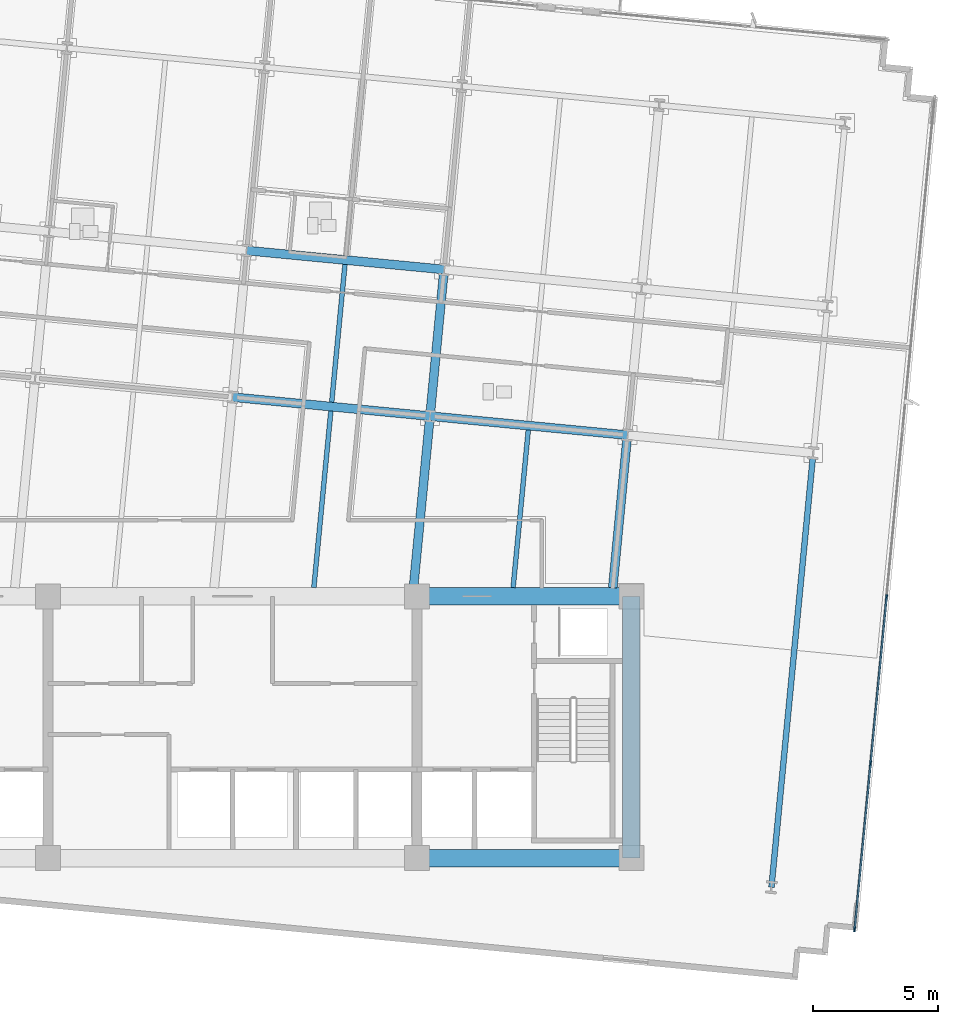
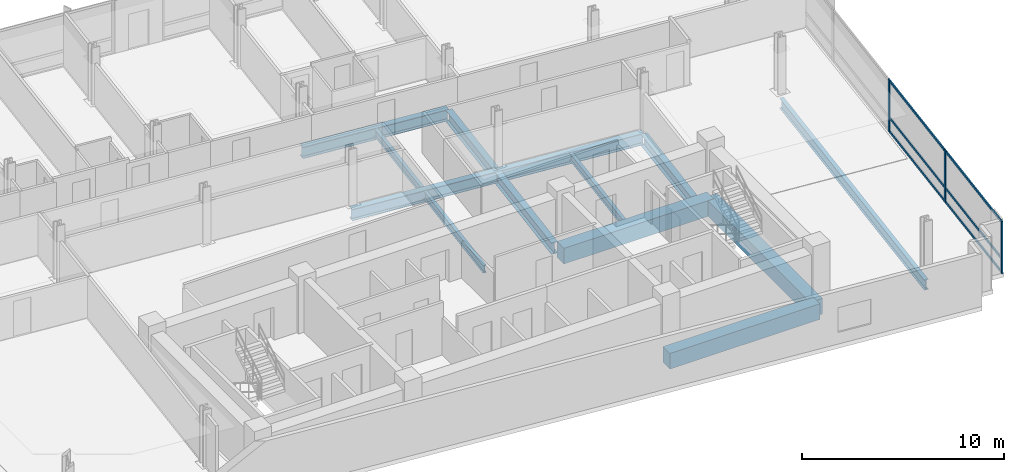
# One storey, part 5 of 17: 13 beams, 9 members, 1 element without a shape of its own.
"""IFC4 building model written with IfcOpenShell, lengths in metres."""

from ifc_helpers import new_model, si_unit, direction, frame, origin, origin_2d, place, context, subcontext, project, spatial, rectangle, i_section, extrude, material, material_profile, profile_set, type_object, element, aggregate, save


model = new_model("IFC4")

# Units and contexts
model_context = context("Model", 3, precision=1e-05, world=origin(), true_north=direction((0.0, 1.0)))
body_context = subcontext(model_context, "Body", "Model", "MODEL_VIEW")
ifc_project = project(units=[si_unit("LENGTHUNIT", "METRE"), si_unit("AREAUNIT", "SQUARE_METRE"), si_unit("VOLUMEUNIT", "CUBIC_METRE"), si_unit("PLANEANGLEUNIT", "RADIAN"), si_unit("MASSUNIT", "GRAM", prefix="KILO")], contexts=[model_context])

# Site, building, storey
site_placement = place(None, origin())
site = spatial("IfcSite", under=ifc_project, at=site_placement, CompositionType="ELEMENT")
building_placement = place(site_placement, origin())
building = spatial("IfcBuilding", under=site, at=building_placement, Name="Solmavex Isthmus Hotel", CompositionType="ELEMENT")
storey_placement = place(building_placement, frame((0.0, 0.0, 149.699951171875)))
storey = spatial("IfcBuildingStorey", under=building, at=storey_placement, Name="L40", CompositionType="ELEMENT", Elevation=149.699951171875)

# Beams
ifc_material_1 = material(Name="Steel ASTM A992 Grade 50", Category="steel")
ifc_material_profile_1 = material_profile(ifc_material_1, i_section(OverallWidth=0.354736328125, OverallDepth=0.695556640625, WebThickness=0.015380859375, FlangeThickness=0.02490234375, FilletRadius=0.017822265625, at=origin_2d()), Name="W27X146")
ifc_profile_set_1 = profile_set([ifc_material_profile_1], Name="Steel ASTM A992 Grade 50")
beam_type_1 = type_object("IfcBeamType", Name="BM-BG-W27X146", PredefinedType="BEAM", material=ifc_profile_set_1)
for number, where, z_axis, x_axis, name in (
    (1, (0.001220703125, 5.490234375, -0.607666015625), (0.995397440011, -0.095832856685, 0.0), (0.095832856685, 0.995397440011, 0.0), "Floor Girder L40-UG06"),
    (2, (7.920654296875, 4.727783203125, -0.607666015625), (0.995397440011, -0.095832856685, 0.0), (0.095832856685, 0.995397440011, 0.0), "Floor Girder L40-UG07"),
):
    element("IfcBeam", number, at=place(storey_placement, frame(where, z_axis=z_axis, x_axis=x_axis)), inside=storey, type_object=beam_type_1, Name=name, PredefinedType="BEAM", context=body_context, shape_type="SweptSolid", body=[
        extrude(i_section(OverallWidth=0.354736328125, OverallDepth=0.695556640625, WebThickness=0.015380859375, FlangeThickness=0.02490234375, FilletRadius=0.017822265625, at=origin_2d()), origin(), (0.0, 0.0, 1.0), 7.9560546875),
    ])
beam_1_placement = place(storey_placement, frame((0.567626953125, 11.37109375, -0.607666015625), z_axis=(0.995397158178, -0.095835783981, 0.0), x_axis=(0.095835783981, 0.995397158178, 0.0)))
element("IfcBeam", 3, at=beam_1_placement, inside=storey, type_object=beam_type_1, Name="Floor Girder L40-UG12", PredefinedType="BEAM", context=body_context, shape_type="SweptSolid", body=[
    extrude(i_section(OverallWidth=0.354736328125, OverallDepth=0.695556640625, WebThickness=0.015380859375, FlangeThickness=0.02490234375, FilletRadius=0.017822265625, at=origin_2d()), origin(), (0.0, 0.0, 1.0), 7.955810546875),
])
beam_2_placement = place(storey_placement, frame((7.25830078125, -2.14990234375, -0.607666015625), z_axis=(0.095847843924, 0.995395996986, 0.0), x_axis=(-0.995395996986, 0.095847843924, 0.0)))
element("IfcBeam", 4, at=beam_2_placement, inside=storey, type_object=beam_type_1, Name="Floor Beam L40-VG33", PredefinedType="BEAM", context=body_context, shape_type="SweptSolid", body=[
    extrude(i_section(OverallWidth=0.354736328125, OverallDepth=0.695556640625, WebThickness=0.015380859375, FlangeThickness=0.02490234375, FilletRadius=0.017822265625, at=origin_2d()), origin(), (0.0, 0.0, 1.0), 6.732177734375),
])
beam_3_placement = place(storey_placement, frame((7.937744140625, 4.904296875, -0.607666015625), z_axis=(0.095842252862, 0.99539653534, 0.0), x_axis=(-0.99539653534, 0.095842252862, 0.0)))
element("IfcBeam", 5, at=beam_3_placement, inside=storey, type_object=beam_type_1, Name="Floor Beam L40-VG34", PredefinedType="BEAM", context=body_context, shape_type="SweptSolid", body=[
    extrude(i_section(OverallWidth=0.354736328125, OverallDepth=0.695556640625, WebThickness=0.015380859375, FlangeThickness=0.02490234375, FilletRadius=0.017822265625, at=origin_2d()), origin(), (0.0, 0.0, 1.0), 5.55322265625),
])
beam_4_placement = place(storey_placement, frame((15.251220703125, -2.14990234375, -0.607666015625), z_axis=(0.095840286514, 0.995396724669, 0.0), x_axis=(-0.995396724669, 0.095840286514, 0.0)))
element("IfcBeam", 6, at=beam_4_placement, inside=storey, type_object=beam_type_1, Name="Floor Beam L40-VG36", PredefinedType="BEAM", context=body_context, shape_type="SweptSolid", body=[
    extrude(i_section(OverallWidth=0.354736328125, OverallDepth=0.695556640625, WebThickness=0.015380859375, FlangeThickness=0.02490234375, FilletRadius=0.017822265625, at=origin_2d()), origin(), (0.0, 0.0, 1.0), 5.9658203125),
])
ifc_material_profile_2 = material_profile(ifc_material_1, i_section(OverallWidth=0.1904296875, OverallDepth=0.456787109375, WebThickness=0.009033203125, FlangeThickness=0.014404296875, FilletRadius=0.0126953125, at=origin_2d()), Name="W18X50")
ifc_profile_set_2 = profile_set([ifc_material_profile_2], Name="Steel ASTM A992 Grade 50")
beam_type_2 = type_object("IfcBeamType", Name="BM-BJ-W18X50", PredefinedType="JOIST", material=ifc_profile_set_2)
beam_5_placement = place(storey_placement, frame((3.261962890625, -2.14990234375, -0.48828125), z_axis=(0.095837287001, 0.995397013468, 0.0), x_axis=(-0.995397013468, 0.095837287001, 0.0)))
element("IfcBeam", 7, at=beam_5_placement, inside=storey, type_object=beam_type_2, Name="Secondary Floor Joist L40-J10", PredefinedType="JOIST", context=body_context, shape_type="SweptSolid", body=[
    extrude(i_section(OverallWidth=0.1904296875, OverallDepth=0.456787109375, WebThickness=0.009033203125, FlangeThickness=0.014404296875, FilletRadius=0.0126953125, at=origin_2d()), origin(), (0.0, 0.0, 1.0), 7.114990234375),
])
beam_6_placement = place(storey_placement, frame((3.97802734375, 5.28564453125, -0.48828125), z_axis=(0.095842252862, 0.99539653534, 0.0), x_axis=(-0.99539653534, 0.095842252862, 0.0)))
element("IfcBeam", 8, at=beam_6_placement, inside=storey, type_object=beam_type_2, Name="Secondary Floor Joist L40-J11", PredefinedType="JOIST", context=body_context, shape_type="SweptSolid", body=[
    extrude(i_section(OverallWidth=0.1904296875, OverallDepth=0.456787109375, WebThickness=0.009033203125, FlangeThickness=0.014404296875, FilletRadius=0.0126953125, at=origin_2d()), origin(), (0.0, 0.0, 1.0), 5.55322265625),
])
beam_7_placement = place(storey_placement, frame((11.2548828125, -2.14990234375, -0.48828125), z_axis=(0.095825243261, 0.995398172971, 0.0), x_axis=(-0.995398172971, 0.095825243261, 0.0)))
element("IfcBeam", 9, at=beam_7_placement, inside=storey, type_object=beam_type_2, Name="Secondary Floor Joist L40-J13", PredefinedType="JOIST", context=body_context, shape_type="SweptSolid", body=[
    extrude(i_section(OverallWidth=0.1904296875, OverallDepth=0.456787109375, WebThickness=0.009033203125, FlangeThickness=0.014404296875, FilletRadius=0.0126953125, at=origin_2d()), origin(), (0.0, 0.0, 1.0), 6.34912109375),
])
ifc_material_2 = material(Name="Concrete C60/75", Category="concrete")
ifc_material_profile_3 = material_profile(ifc_material_2, rectangle(XDim=0.699951171875, YDim=0.949951171875, at=origin_2d()), Name="RC700X950")
ifc_profile_set_3 = profile_set([ifc_material_profile_3], Name="Concrete C60/75")
beam_type_3 = type_object("IfcBeamType", Name="BM-CB-700X950", PredefinedType="BEAM", material=ifc_profile_set_3)
for number, where, z_axis, x_axis, name in (
    (10, (7.39990234375, -13.0, -0.73486328125), (1.0, 0.0, 0.0), (0.0, 1.0, 0.0), "Core Coupling Beam L40-CB3"),
    (11, (7.39990234375, -2.5, -0.73486328125), (1.0, 0.0, 0.0), (0.0, 1.0, 0.0), "Core Coupling Beam L40-CB6"),
):
    element("IfcBeam", number, at=place(storey_placement, frame(where, z_axis=z_axis, x_axis=x_axis)), inside=storey, type_object=beam_type_3, Name=name, PredefinedType="BEAM", context=body_context, shape_type="SweptSolid", body=[
        extrude(rectangle(XDim=0.699951171875, YDim=0.949951171875, at=origin_2d()), origin(), (0.0, 0.0, 1.0), 8.60009765625),
    ])
beam_8_placement = place(storey_placement, frame((16.0, -13.0, -0.73486328125), z_axis=(0.0, 1.0, 0.0), x_axis=(-1.0, 0.0, 0.0)))
element("IfcBeam", 12, at=beam_8_placement, inside=storey, type_object=beam_type_3, Name="Core Coupling Beam L40-CB8", PredefinedType="BEAM", context=body_context, shape_type="SweptSolid", body=[
    extrude(rectangle(XDim=0.699951171875, YDim=0.949951171875, at=origin_2d()), origin(), (0.0, 0.0, 1.0), 10.5),
])
ifc_material_profile_4 = material_profile(ifc_material_1, i_section(OverallWidth=0.230224609375, OverallDepth=0.617431640625, WebThickness=0.01318359375, FlangeThickness=0.022216796875, FilletRadius=0.01513671875, at=origin_2d()), Name="W24X94")
ifc_profile_set_4 = profile_set([ifc_material_profile_4], Name="Steel ASTM A992 Grade 50")
beam_type_4 = type_object("IfcBeamType", Name="BM-SP-W24X94", PredefinedType="SPANDREL", material=ifc_profile_set_4)
beam_9_placement = place(storey_placement, frame((21.6162109375, -14.171875, -0.568603515625), z_axis=(0.095851245948, 0.995395669395, 0.0), x_axis=(-0.995395669395, 0.095851245948, 0.0)))
element("IfcBeam", 13, at=beam_9_placement, inside=storey, type_object=beam_type_4, Name="Floor Beam L40-VG39", PredefinedType="SPANDREL", context=body_context, shape_type="SweptSolid", body=[
    extrude(i_section(OverallWidth=0.230224609375, OverallDepth=0.617431640625, WebThickness=0.01318359375, FlangeThickness=0.022216796875, FilletRadius=0.01513671875, at=origin_2d()), origin(), (0.0, 0.0, 1.0), 17.32275390625),
])

# Curtain wall, members
ifc_material_3 = material(Name="Aluminium alloy 6063-T6", Category="aluminium")
curtain_wall_type = type_object("IfcCurtainWallType", Name="CW-SYS-03", PredefinedType="NOTDEFINED", material=ifc_material_3)
curtain_wall_placement = place(storey_placement, origin())
curtain_wall = element("IfcCurtainWall", 14, at=curtain_wall_placement, inside=storey, type_object=curtain_wall_type, Name="Stick Curtain Wall CWL-L40-E1", PredefinedType="NOTDEFINED")
ifc_material_profile_5 = material_profile(ifc_material_3, rectangle(XDim=0.070068359375, YDim=0.179931640625, at=origin_2d()), Name="CWM-70X180")
ifc_profile_set_5 = profile_set([ifc_material_profile_5], Name="Aluminium alloy 6063-T6")
member_type_1 = type_object("IfcMemberType", Name="CW-SYS-03-MUL", PredefinedType="MULLION", material=ifc_profile_set_5)
member_1_placement = place(storey_placement, frame((24.949462890625, -15.8642578125, 0.0), z_axis=(0.0, 0.0, 1.0), x_axis=(-0.995396190038, 0.09584583902, 0.0)))
member_1 = element("IfcMember", 15, at=member_1_placement, type_object=member_type_1, Name="CW-03 mullion 1", PredefinedType="MULLION", context=body_context, shape_type="SweptSolid", body=[
    extrude(rectangle(XDim=0.070068359375, YDim=0.179931640625, at=origin_2d()), origin(), (0.0, 0.0, 1.0), 3.18994140625),
])
member_2_placement = place(storey_placement, frame((25.590087890625, -9.2099609375, 0.0), z_axis=(0.0, 0.0, 1.0), x_axis=(-0.995396190038, 0.09584583902, 0.0)))
member_2 = element("IfcMember", 16, at=member_2_placement, type_object=member_type_1, Name="CW-03 mullion 2", PredefinedType="MULLION", context=body_context, shape_type="SweptSolid", body=[
    extrude(rectangle(XDim=0.070068359375, YDim=0.179931640625, at=origin_2d()), origin(), (0.0, 0.0, 1.0), 3.18994140625),
])
member_3_placement = place(storey_placement, frame((26.234130859375, -2.520751953125, 0.0), z_axis=(0.0, 0.0, 1.0), x_axis=(-0.995396190038, 0.09584583902, 0.0)))
member_3 = element("IfcMember", 17, at=member_3_placement, type_object=member_type_1, Name="CW-03 mullion 3", PredefinedType="MULLION", context=body_context, shape_type="SweptSolid", body=[
    extrude(rectangle(XDim=0.070068359375, YDim=0.179931640625, at=origin_2d()), origin(), (0.0, 0.0, 1.0), 3.18994140625),
])
ifc_material_profile_6 = material_profile(ifc_material_3, rectangle(XDim=0.070068359375, YDim=0.139892578125, at=origin_2d()), Name="CWT-70X140")
ifc_profile_set_6 = profile_set([ifc_material_profile_6], Name="Aluminium alloy 6063-T6")
member_type_2 = type_object("IfcMemberType", Name="CW-SYS-03-TRN", PredefinedType="USERDEFINED", material=ifc_profile_set_6)
member_4_placement = place(storey_placement, frame((24.95263671875, -15.829345703125, 0.070068359375), z_axis=(0.095848837806, 0.995395901283, 0.0), x_axis=(-0.995395901283, 0.095848837806, 0.0)))
member_4 = element("IfcMember", 18, at=member_4_placement, type_object=member_type_2, Name="CW-03 transom 1.1", ObjectType="TRANSOM", PredefinedType="USERDEFINED", context=body_context, shape_type="SweptSolid", body=[
    extrude(rectangle(XDim=0.070068359375, YDim=0.139892578125, at=origin_2d()), origin(), (0.0, 0.0, 1.0), 6.614990234375),
])
member_5_placement = place(storey_placement, frame((24.95263671875, -15.829345703125, 0.900146484375), z_axis=(0.095848837806, 0.995395901283, 0.0), x_axis=(-0.995395901283, 0.095848837806, 0.0)))
member_5 = element("IfcMember", 19, at=member_5_placement, type_object=member_type_2, Name="CW-03 transom 1.2", ObjectType="TRANSOM", PredefinedType="USERDEFINED", context=body_context, shape_type="SweptSolid", body=[
    extrude(rectangle(XDim=0.070068359375, YDim=0.139892578125, at=origin_2d()), origin(), (0.0, 0.0, 1.0), 6.614990234375),
])
member_6_placement = place(storey_placement, frame((24.95263671875, -15.829345703125, 3.1201171875), z_axis=(0.095848837806, 0.995395901283, 0.0), x_axis=(-0.995395901283, 0.095848837806, 0.0)))
member_6 = element("IfcMember", 20, at=member_6_placement, type_object=member_type_2, Name="CW-03 transom 1.3", ObjectType="TRANSOM", PredefinedType="USERDEFINED", context=body_context, shape_type="SweptSolid", body=[
    extrude(rectangle(XDim=0.070068359375, YDim=0.139892578125, at=origin_2d()), origin(), (0.0, 0.0, 1.0), 6.614990234375),
])
member_7_placement = place(storey_placement, frame((25.593505859375, -9.175048828125, 0.070068359375), z_axis=(0.095857212138, 0.995395094865, 0.0), x_axis=(-0.995395094865, 0.095857212138, 0.0)))
member_7 = element("IfcMember", 21, at=member_7_placement, type_object=member_type_2, Name="CW-03 transom 2.1", ObjectType="TRANSOM", PredefinedType="USERDEFINED", context=body_context, shape_type="SweptSolid", body=[
    extrude(rectangle(XDim=0.070068359375, YDim=0.139892578125, at=origin_2d()), origin(), (0.0, 0.0, 1.0), 6.64990234375),
])
member_8_placement = place(storey_placement, frame((25.593505859375, -9.175048828125, 0.900146484375), z_axis=(0.095857212138, 0.995395094865, 0.0), x_axis=(-0.995395094865, 0.095857212138, 0.0)))
member_8 = element("IfcMember", 22, at=member_8_placement, type_object=member_type_2, Name="CW-03 transom 2.2", ObjectType="TRANSOM", PredefinedType="USERDEFINED", context=body_context, shape_type="SweptSolid", body=[
    extrude(rectangle(XDim=0.070068359375, YDim=0.139892578125, at=origin_2d()), origin(), (0.0, 0.0, 1.0), 6.64990234375),
])
member_9_placement = place(storey_placement, frame((25.593505859375, -9.175048828125, 3.1201171875), z_axis=(0.095857212138, 0.995395094865, 0.0), x_axis=(-0.995395094865, 0.095857212138, 0.0)))
member_9 = element("IfcMember", 23, at=member_9_placement, type_object=member_type_2, Name="CW-03 transom 2.3", ObjectType="TRANSOM", PredefinedType="USERDEFINED", context=body_context, shape_type="SweptSolid", body=[
    extrude(rectangle(XDim=0.070068359375, YDim=0.139892578125, at=origin_2d()), origin(), (0.0, 0.0, 1.0), 6.64990234375),
])
aggregate(curtain_wall, [member_1, member_2, member_3, member_4, member_5, member_6, member_7, member_8, member_9])

save(model, "model.ifc")
